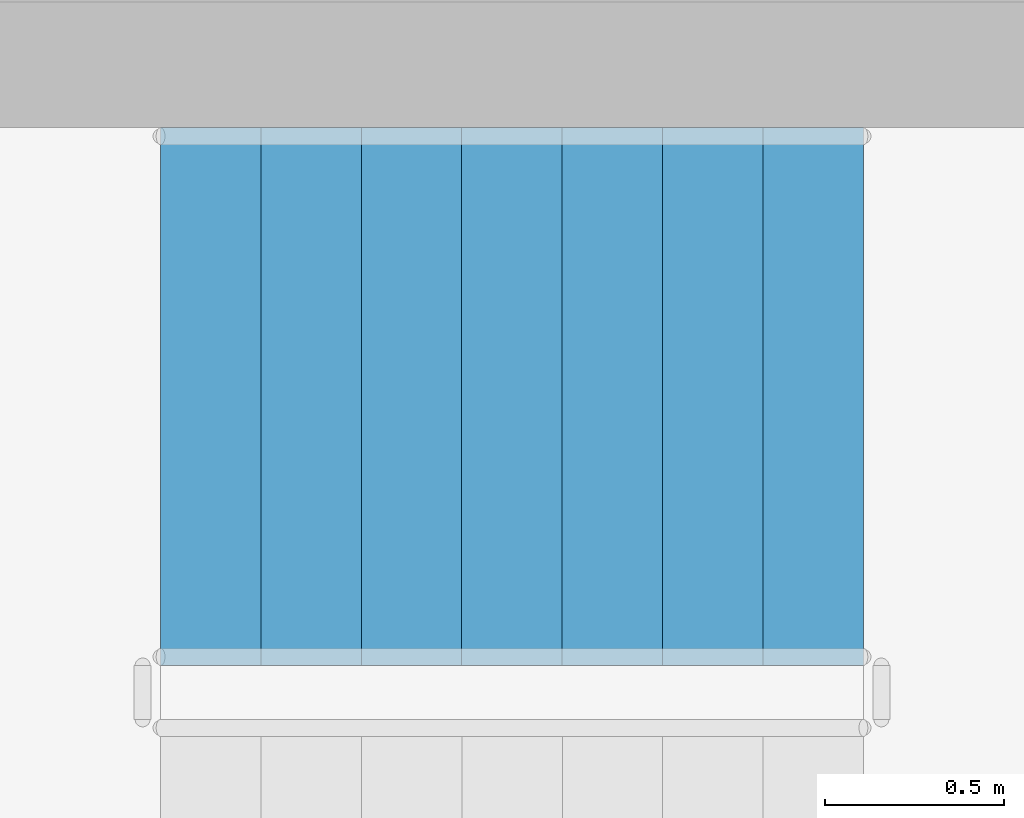
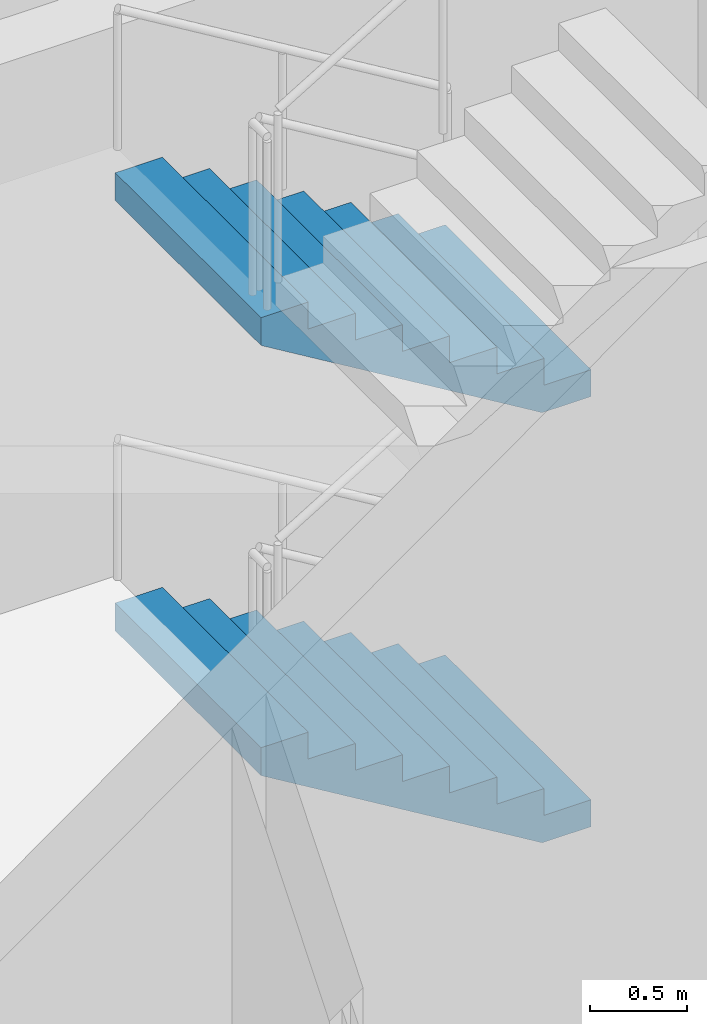
# One storey, part 60 of 101: 2 stair flights, 1 element without a shape of its own.
"""IFC4 building model written with IfcOpenShell, lengths in metres."""

from ifc_helpers import new_model, si_unit, direction, frame, origin, place, context, subcontext, project, spatial, triangles, material, type_object, element, aggregate, save


model = new_model("IFC4")

# Units and contexts
model_context = context("Model", 3, precision=1e-05, world=origin(), true_north=direction((0.0, 1.0)))
body_context = subcontext(model_context, "Body", "Model", "MODEL_VIEW")
ifc_project = project(units=[si_unit("LENGTHUNIT", "METRE"), si_unit("AREAUNIT", "SQUARE_METRE"), si_unit("VOLUMEUNIT", "CUBIC_METRE"), si_unit("PLANEANGLEUNIT", "RADIAN"), si_unit("MASSUNIT", "GRAM", prefix="KILO")], contexts=[model_context])

# Site, building, storey
site_placement = place(None, origin())
site = spatial("IfcSite", under=ifc_project, at=site_placement, CompositionType="ELEMENT")
building_placement = place(site_placement, origin())
building = spatial("IfcBuilding", under=site, at=building_placement, Name="Magnolia Steps Interchange", CompositionType="ELEMENT")
storey_placement = place(building_placement, frame((0.0, 0.0, -5.39990234375)))
storey = spatial("IfcBuildingStorey", under=building, at=storey_placement, Name="B1", CompositionType="ELEMENT", Elevation=-5.39990234375)

# Stair, stair flights
ifc_material_1 = material(Name="Concrete C40", Category="concrete")
stair_type = type_object("IfcStairType", Name="Exit stair 1500", PredefinedType="HALF_TURN_STAIR", material=ifc_material_1)
stair_placement = place(storey_placement, origin())
stair = element("IfcStair", 1, at=stair_placement, inside=storey, type_object=stair_type, Name="B1 Stair 2", PredefinedType="HALF_TURN_STAIR")
ifc_material_2 = material(Name="Concrete C40", Category="concrete")
stair_flight_type = type_object("IfcStairFlightType", Name="Exit stair flight", PredefinedType="STRAIGHT", material=ifc_material_2)
stair_flight_1_placement = place(storey_placement, frame((59.0, 84.35009765625, 0.0), z_axis=(0.0, 0.0, 1.0), x_axis=(-1.0, 0.0, 0.0)))
stair_flight_1 = element("IfcStairFlight", 2, at=stair_flight_1_placement, type_object=stair_flight_type, Name="Stair 2 flight 1", NumberOfRisers=8, NumberOfTreads=7, PredefinedType="STRAIGHT", RiserHeight=0.16875, TreadLength=0.28, context=body_context, shape_type="Tessellation", body=[
    triangles([(0.0, -0.75, 0.0), (0.29052734375, -0.75, 0.0), (1.9599609375, -0.75, 1.00634765625), (1.9599609375, -0.75, 1.18115234375), (1.679931640625, -0.75, 1.18115234375), (1.679931640625, -0.75, 1.012451171875), (1.39990234375, -0.75, 1.012451171875), (1.39990234375, -0.75, 0.84375), (1.1201171875, -0.75, 0.84375), (1.1201171875, -0.75, 0.675048828125), (0.840087890625, -0.75, 0.675048828125), (0.840087890625, -0.75, 0.50634765625), (0.56005859375, -0.75, 0.50634765625), (0.56005859375, -0.75, 0.33740234375), (0.280029296875, -0.75, 0.33740234375), (0.280029296875, -0.75, 0.168701171875), (0.0, -0.75, 0.168701171875), (0.0, 0.75, 0.0), (0.29052734375, 0.75, 0.0), (1.9599609375, 0.75, 1.00634765625), (1.9599609375, 0.75, 1.18115234375), (1.679931640625, 0.75, 1.18115234375), (1.679931640625, 0.75, 1.012451171875), (1.39990234375, 0.75, 1.012451171875), (1.39990234375, 0.75, 0.84375), (1.1201171875, 0.75, 0.84375), (1.1201171875, 0.75, 0.675048828125), (0.840087890625, 0.75, 0.675048828125), (0.840087890625, 0.75, 0.50634765625), (0.56005859375, 0.75, 0.50634765625), (0.56005859375, 0.75, 0.33740234375), (0.280029296875, 0.75, 0.33740234375), (0.280029296875, 0.75, 0.168701171875), (0.0, 0.75, 0.168701171875), (0.0, 0.0, 0.0), (0.0, 0.0, 0.04217529296875), (0.0, 0.0, 0.0843505859375), (0.0, 0.0, 0.12652587890625), (0.0, 0.0, 0.168701171875), (0.0, -0.05, 0.0), (0.0, -0.05, 0.168701171875), (0.0, 0.05, 0.0), (0.0, 0.05, 0.168701171875), (0.046671549479166664, 0.0, 0.168701171875), (0.09334309895833333, 0.0, 0.168701171875), (0.1400146484375, 0.0, 0.168701171875), (0.18668619791666666, 0.0, 0.168701171875), (0.23335774739583334, 0.0, 0.168701171875), (0.280029296875, 0.0, 0.168701171875), (0.280029296875, -0.05, 0.168701171875), (0.280029296875, 0.05, 0.168701171875), (0.280029296875, 0.0, 0.21087646484375), (0.280029296875, 0.0, 0.2530517578125), (0.280029296875, 0.0, 0.29522705078125), (0.280029296875, 0.0, 0.33740234375), (0.280029296875, -0.05, 0.33740234375), (0.280029296875, 0.05, 0.33740234375), (0.3267008463541667, 0.0, 0.33740234375), (0.3733723958333333, 0.0, 0.33740234375), (0.4200439453125, 0.0, 0.33740234375), (0.46671549479166663, 0.0, 0.33740234375), (0.5133870442708334, 0.0, 0.33740234375), (0.56005859375, 0.0, 0.33740234375), (0.56005859375, -0.05, 0.33740234375), (0.56005859375, 0.05, 0.33740234375), (0.56005859375, 0.0, 0.379638671875), (0.56005859375, 0.0, 0.421875), (0.56005859375, 0.0, 0.464111328125), (0.56005859375, 0.0, 0.50634765625), (0.56005859375, -0.05, 0.50634765625), (0.56005859375, 0.05, 0.50634765625), (0.6067301432291666, 0.0, 0.50634765625), (0.6534016927083334, 0.0, 0.50634765625), (0.7000732421875, 0.0, 0.50634765625), (0.7467447916666666, 0.0, 0.50634765625), (0.7934163411458334, 0.0, 0.50634765625), (0.840087890625, 0.0, 0.50634765625), (0.840087890625, -0.05, 0.50634765625), (0.840087890625, 0.05, 0.50634765625), (0.840087890625, 0.0, 0.54852294921875), (0.840087890625, 0.0, 0.5906982421875), (0.840087890625, 0.0, 0.63287353515625), (0.840087890625, 0.0, 0.675048828125), (0.840087890625, -0.05, 0.675048828125), (0.840087890625, 0.05, 0.675048828125), (0.8867594401041666, 0.0, 0.675048828125), (0.9334309895833334, 0.0, 0.675048828125), (0.9801025390625, 0.0, 0.675048828125), (1.0267740885416667, 0.0, 0.675048828125), (1.0734456380208333, 0.0, 0.675048828125), (1.1201171875, 0.0, 0.675048828125), (1.1201171875, -0.05, 0.675048828125), (1.1201171875, 0.05, 0.675048828125), (1.1201171875, 0.0, 0.71722412109375), (1.1201171875, 0.0, 0.7593994140625), (1.1201171875, 0.0, 0.80157470703125), (1.1201171875, 0.0, 0.84375), (1.1201171875, -0.05, 0.84375), (1.1201171875, 0.05, 0.84375), (1.1900634765625, 0.0, 0.84375), (1.260009765625, 0.0, 0.84375), (1.3299560546875, 0.0, 0.84375), (1.39990234375, 0.0, 0.84375), (1.39990234375, -0.05, 0.84375), (1.39990234375, 0.05, 0.84375), (1.39990234375, 0.0, 0.88592529296875), (1.39990234375, 0.0, 0.9281005859375), (1.39990234375, 0.0, 0.97027587890625), (1.39990234375, 0.0, 1.012451171875), (1.39990234375, -0.05, 1.012451171875), (1.39990234375, 0.05, 1.012451171875), (1.4465738932291667, 0.0, 1.012451171875), (1.4932454427083333, 0.0, 1.012451171875), (1.5399169921875, 0.0, 1.012451171875), (1.5865885416666667, 0.0, 1.012451171875), (1.6332600911458333, 0.0, 1.012451171875), (1.679931640625, 0.0, 1.012451171875), (1.679931640625, -0.05, 1.012451171875), (1.679931640625, 0.05, 1.012451171875), (1.679931640625, 0.0, 1.05462646484375), (1.679931640625, 0.0, 1.0968017578125), (1.679931640625, 0.0, 1.13897705078125), (1.679931640625, 0.0, 1.18115234375), (1.679931640625, -0.05, 1.18115234375), (1.679931640625, 0.05, 1.18115234375), (1.7266031901041667, 0.0, 1.18115234375), (1.7732747395833333, 0.0, 1.18115234375), (1.8199462890625, 0.0, 1.18115234375), (1.8666178385416667, 0.0, 1.18115234375), (1.9132893880208333, 0.0, 1.18115234375), (1.9599609375, 0.0, 1.18115234375), (1.9599609375, -0.05, 1.18115234375), (1.9599609375, 0.05, 1.18115234375), (1.9599609375, 0.0, 1.137451171875), (1.9599609375, 0.0, 1.09375), (1.9599609375, 0.0, 1.050048828125), (1.9599609375, 0.0, 1.00634765625), (1.9599609375, -0.05, 1.00634765625), (1.9599609375, 0.05, 1.00634765625), (1.9003383091517858, 0.0, 0.9704066685267857), (1.8407156808035714, 0.0, 0.9344656808035714), (1.7810930524553572, 0.0, 0.8985246930803571), (1.7214704241071428, 0.0, 0.8625837053571428), (1.6618477957589286, 0.0, 0.8266427176339286), (1.6022251674107144, 0.0, 0.7907017299107143), (1.5426025390625, 0.0, 0.7547607421875), (1.4829799107142856, 0.0, 0.7188197544642857), (1.4233572823660714, 0.0, 0.6828787667410714), (1.3637346540178572, 0.0, 0.6469377790178572), (1.3041120256696428, 0.0, 0.6109967912946428), (1.2444893973214286, 0.0, 0.5750558035714286), (1.1848667689732144, 0.0, 0.5391148158482143), (1.125244140625, 0.0, 0.503173828125), (1.0656215122767856, 0.0, 0.4672328404017857), (1.0059988839285714, 0.0, 0.4312918526785714), (0.9463762555803572, 0.0, 0.3953508649553571), (0.8867536272321428, 0.0, 0.3594098772321429), (0.8271309988839286, 0.0, 0.3234688895089286), (0.7675083705357142, 0.0, 0.2875279017857143), (0.7078857421875, 0.0, 0.2515869140625), (0.6482631138392858, 0.0, 0.2156459263392857), (0.5886404854910714, 0.0, 0.1797049386160714), (0.5290178571428572, 0.0, 0.1437639508928571), (0.4693952287946428, 0.0, 0.1078229631696429), (0.4097726004464286, 0.0, 0.0718819754464286), (0.3501499720982142, 0.0, 0.0359409877232143), (0.29052734375, 0.0, 0.0), (0.29052734375, -0.05, 0.0), (0.29052734375, 0.05, 0.0), (0.24210611979166666, 0.0, 0.0), (0.19368489583333331, 0.0, 0.0), (0.145263671875, 0.0, 0.0), (0.09684244791666666, 0.0, 0.0), (0.04842122395833334, 0.0, 0.0)], [[1, 2, 3], [3, 4, 5], [3, 5, 6], [3, 6, 7], [3, 7, 8], [8, 9, 10], [3, 8, 10], [10, 11, 12], [3, 10, 12], [12, 13, 14], [3, 12, 14], [14, 15, 16], [3, 14, 16], [1, 3, 16], [16, 17, 1], [18, 20, 19], [20, 22, 21], [20, 23, 22], [20, 24, 23], [20, 25, 24], [25, 27, 26], [20, 27, 25], [27, 29, 28], [20, 29, 27], [29, 31, 30], [20, 31, 29], [31, 33, 32], [20, 33, 31], [18, 33, 20], [33, 18, 34], [1, 17, 41], [1, 41, 40], [40, 36, 35], [40, 37, 36], [40, 41, 37], [41, 38, 37], [41, 39, 38], [18, 43, 34], [18, 42, 43], [42, 35, 36], [42, 36, 37], [42, 37, 43], [43, 37, 38], [43, 38, 39], [17, 16, 50], [17, 50, 41], [41, 44, 39], [41, 45, 44], [41, 46, 45], [41, 50, 46], [50, 47, 46], [50, 48, 47], [50, 49, 48], [34, 51, 33], [34, 43, 51], [43, 39, 44], [43, 44, 45], [43, 45, 46], [43, 46, 51], [51, 46, 47], [51, 47, 48], [51, 48, 49], [16, 15, 56], [16, 56, 50], [50, 52, 49], [50, 53, 52], [50, 56, 53], [56, 54, 53], [56, 55, 54], [33, 57, 32], [33, 51, 57], [51, 49, 52], [51, 52, 53], [51, 53, 57], [57, 53, 54], [57, 54, 55], [15, 14, 64], [15, 64, 56], [56, 58, 55], [56, 59, 58], [56, 60, 59], [56, 64, 60], [64, 61, 60], [64, 62, 61], [64, 63, 62], [32, 65, 31], [32, 57, 65], [57, 55, 58], [57, 58, 59], [57, 59, 60], [57, 60, 65], [65, 60, 61], [65, 61, 62], [65, 62, 63], [14, 13, 70], [14, 70, 64], [64, 66, 63], [64, 67, 66], [64, 70, 67], [70, 68, 67], [70, 69, 68], [31, 71, 30], [31, 65, 71], [65, 63, 66], [65, 66, 67], [65, 67, 71], [71, 67, 68], [71, 68, 69], [13, 12, 78], [13, 78, 70], [70, 72, 69], [70, 73, 72], [70, 74, 73], [70, 78, 74], [78, 75, 74], [78, 76, 75], [78, 77, 76], [30, 79, 29], [30, 71, 79], [71, 69, 72], [71, 72, 73], [71, 73, 74], [71, 74, 79], [79, 74, 75], [79, 75, 76], [79, 76, 77], [12, 11, 84], [12, 84, 78], [78, 80, 77], [78, 81, 80], [78, 84, 81], [84, 82, 81], [84, 83, 82], [29, 85, 28], [29, 79, 85], [79, 77, 80], [79, 80, 81], [79, 81, 85], [85, 81, 82], [85, 82, 83], [11, 10, 92], [11, 92, 84], [84, 86, 83], [84, 87, 86], [84, 88, 87], [84, 92, 88], [92, 89, 88], [92, 90, 89], [92, 91, 90], [28, 93, 27], [28, 85, 93], [85, 83, 86], [85, 86, 87], [85, 87, 88], [85, 88, 93], [93, 88, 89], [93, 89, 90], [93, 90, 91], [10, 9, 98], [10, 98, 92], [92, 94, 91], [92, 95, 94], [92, 98, 95], [98, 96, 95], [98, 97, 96], [27, 99, 26], [27, 93, 99], [93, 91, 94], [93, 94, 95], [93, 95, 99], [99, 95, 96], [99, 96, 97], [9, 8, 104], [9, 104, 98], [98, 100, 97], [98, 101, 100], [98, 104, 101], [104, 102, 101], [104, 103, 102], [26, 105, 25], [26, 99, 105], [99, 97, 100], [99, 100, 101], [99, 101, 105], [105, 101, 102], [105, 102, 103], [8, 7, 110], [8, 110, 104], [104, 106, 103], [104, 107, 106], [104, 110, 107], [110, 108, 107], [110, 109, 108], [25, 111, 24], [25, 105, 111], [105, 103, 106], [105, 106, 107], [105, 107, 111], [111, 107, 108], [111, 108, 109], [7, 6, 118], [7, 118, 110], [110, 112, 109], [110, 113, 112], [110, 114, 113], [110, 118, 114], [118, 115, 114], [118, 116, 115], [118, 117, 116], [24, 119, 23], [24, 111, 119], [111, 109, 112], [111, 112, 113], [111, 113, 114], [111, 114, 119], [119, 114, 115], [119, 115, 116], [119, 116, 117], [6, 5, 124], [6, 124, 118], [118, 120, 117], [118, 121, 120], [118, 124, 121], [124, 122, 121], [124, 123, 122], [23, 125, 22], [23, 119, 125], [119, 117, 120], [119, 120, 121], [119, 121, 125], [125, 121, 122], [125, 122, 123], [5, 4, 132], [5, 132, 124], [124, 126, 123], [124, 127, 126], [124, 128, 127], [124, 132, 128], [132, 129, 128], [132, 130, 129], [132, 131, 130], [22, 133, 21], [22, 125, 133], [125, 123, 126], [125, 126, 127], [125, 127, 128], [125, 128, 133], [133, 128, 129], [133, 129, 130], [133, 130, 131], [4, 3, 138], [4, 138, 132], [132, 134, 131], [132, 135, 134], [132, 138, 135], [138, 136, 135], [138, 137, 136], [21, 139, 20], [21, 133, 139], [133, 131, 134], [133, 134, 135], [133, 135, 139], [139, 135, 136], [139, 136, 137], [3, 2, 168], [3, 168, 138], [138, 140, 137], [138, 141, 140], [138, 142, 141], [138, 143, 142], [138, 144, 143], [138, 145, 144], [138, 146, 145], [138, 147, 146], [138, 148, 147], [138, 149, 148], [138, 150, 149], [138, 151, 150], [138, 152, 151], [138, 153, 152], [138, 168, 153], [168, 154, 153], [168, 155, 154], [168, 156, 155], [168, 157, 156], [168, 158, 157], [168, 159, 158], [168, 160, 159], [168, 161, 160], [168, 162, 161], [168, 163, 162], [168, 164, 163], [168, 165, 164], [168, 166, 165], [168, 167, 166], [20, 169, 19], [20, 139, 169], [139, 137, 140], [139, 140, 141], [139, 141, 142], [139, 142, 143], [139, 143, 144], [139, 144, 145], [139, 145, 146], [139, 146, 147], [139, 147, 148], [139, 148, 149], [139, 149, 150], [139, 150, 151], [139, 151, 152], [139, 152, 153], [139, 153, 169], [169, 153, 154], [169, 154, 155], [169, 155, 156], [169, 156, 157], [169, 157, 158], [169, 158, 159], [169, 159, 160], [169, 160, 161], [169, 161, 162], [169, 162, 163], [169, 163, 164], [169, 164, 165], [169, 165, 166], [169, 166, 167], [2, 1, 40], [2, 40, 168], [168, 170, 167], [168, 171, 170], [168, 172, 171], [168, 40, 172], [40, 173, 172], [40, 174, 173], [40, 35, 174], [19, 42, 18], [19, 169, 42], [169, 167, 170], [169, 170, 171], [169, 171, 172], [169, 172, 42], [42, 172, 173], [42, 173, 174], [42, 174, 35]], closed=True),
])
stair_flight_2_placement = place(storey_placement, frame((59.0, 84.35009765625, 2.699951171875), z_axis=(0.0, 0.0, 1.0), x_axis=(-1.0, 0.0, 0.0)))
stair_flight_2 = element("IfcStairFlight", 3, at=stair_flight_2_placement, type_object=stair_flight_type, Name="Stair 2 flight 3", NumberOfRisers=8, NumberOfTreads=7, PredefinedType="STRAIGHT", RiserHeight=0.16875, TreadLength=0.28, context=body_context, shape_type="Tessellation", body=[
    triangles([(0.0, -0.75, 0.0), (0.29052734375, -0.75, 0.0), (1.9599609375, -0.75, 1.00634765625), (1.9599609375, -0.75, 1.18115234375), (1.679931640625, -0.75, 1.18115234375), (1.679931640625, -0.75, 1.012451171875), (1.39990234375, -0.75, 1.012451171875), (1.39990234375, -0.75, 0.84375), (1.1201171875, -0.75, 0.84375), (1.1201171875, -0.75, 0.675048828125), (0.840087890625, -0.75, 0.675048828125), (0.840087890625, -0.75, 0.50634765625), (0.56005859375, -0.75, 0.50634765625), (0.56005859375, -0.75, 0.33740234375), (0.280029296875, -0.75, 0.33740234375), (0.280029296875, -0.75, 0.168701171875), (0.0, -0.75, 0.168701171875), (0.0, 0.75, 0.0), (0.29052734375, 0.75, 0.0), (1.9599609375, 0.75, 1.00634765625), (1.9599609375, 0.75, 1.18115234375), (1.679931640625, 0.75, 1.18115234375), (1.679931640625, 0.75, 1.012451171875), (1.39990234375, 0.75, 1.012451171875), (1.39990234375, 0.75, 0.84375), (1.1201171875, 0.75, 0.84375), (1.1201171875, 0.75, 0.675048828125), (0.840087890625, 0.75, 0.675048828125), (0.840087890625, 0.75, 0.50634765625), (0.56005859375, 0.75, 0.50634765625), (0.56005859375, 0.75, 0.33740234375), (0.280029296875, 0.75, 0.33740234375), (0.280029296875, 0.75, 0.168701171875), (0.0, 0.75, 0.168701171875), (0.0, 0.0, 0.0), (0.0, 0.0, 0.04217529296875), (0.0, 0.0, 0.0843505859375), (0.0, 0.0, 0.12652587890625), (0.0, 0.0, 0.168701171875), (0.0, -0.05, 0.0), (0.0, -0.05, 0.168701171875), (0.0, 0.05, 0.0), (0.0, 0.05, 0.168701171875), (0.046671549479166664, 0.0, 0.168701171875), (0.09334309895833333, 0.0, 0.168701171875), (0.1400146484375, 0.0, 0.168701171875), (0.18668619791666666, 0.0, 0.168701171875), (0.23335774739583334, 0.0, 0.168701171875), (0.280029296875, 0.0, 0.168701171875), (0.280029296875, -0.05, 0.168701171875), (0.280029296875, 0.05, 0.168701171875), (0.280029296875, 0.0, 0.21087646484375), (0.280029296875, 0.0, 0.2530517578125), (0.280029296875, 0.0, 0.29522705078125), (0.280029296875, 0.0, 0.33740234375), (0.280029296875, -0.05, 0.33740234375), (0.280029296875, 0.05, 0.33740234375), (0.3267008463541667, 0.0, 0.33740234375), (0.3733723958333333, 0.0, 0.33740234375), (0.4200439453125, 0.0, 0.33740234375), (0.46671549479166663, 0.0, 0.33740234375), (0.5133870442708334, 0.0, 0.33740234375), (0.56005859375, 0.0, 0.33740234375), (0.56005859375, -0.05, 0.33740234375), (0.56005859375, 0.05, 0.33740234375), (0.56005859375, 0.0, 0.379638671875), (0.56005859375, 0.0, 0.421875), (0.56005859375, 0.0, 0.464111328125), (0.56005859375, 0.0, 0.50634765625), (0.56005859375, -0.05, 0.50634765625), (0.56005859375, 0.05, 0.50634765625), (0.6067301432291666, 0.0, 0.50634765625), (0.6534016927083334, 0.0, 0.50634765625), (0.7000732421875, 0.0, 0.50634765625), (0.7467447916666666, 0.0, 0.50634765625), (0.7934163411458334, 0.0, 0.50634765625), (0.840087890625, 0.0, 0.50634765625), (0.840087890625, -0.05, 0.50634765625), (0.840087890625, 0.05, 0.50634765625), (0.840087890625, 0.0, 0.54852294921875), (0.840087890625, 0.0, 0.5906982421875), (0.840087890625, 0.0, 0.63287353515625), (0.840087890625, 0.0, 0.675048828125), (0.840087890625, -0.05, 0.675048828125), (0.840087890625, 0.05, 0.675048828125), (0.8867594401041666, 0.0, 0.675048828125), (0.9334309895833334, 0.0, 0.675048828125), (0.9801025390625, 0.0, 0.675048828125), (1.0267740885416667, 0.0, 0.675048828125), (1.0734456380208333, 0.0, 0.675048828125), (1.1201171875, 0.0, 0.675048828125), (1.1201171875, -0.05, 0.675048828125), (1.1201171875, 0.05, 0.675048828125), (1.1201171875, 0.0, 0.71722412109375), (1.1201171875, 0.0, 0.7593994140625), (1.1201171875, 0.0, 0.80157470703125), (1.1201171875, 0.0, 0.84375), (1.1201171875, -0.05, 0.84375), (1.1201171875, 0.05, 0.84375), (1.1900634765625, 0.0, 0.84375), (1.260009765625, 0.0, 0.84375), (1.3299560546875, 0.0, 0.84375), (1.39990234375, 0.0, 0.84375), (1.39990234375, -0.05, 0.84375), (1.39990234375, 0.05, 0.84375), (1.39990234375, 0.0, 0.88592529296875), (1.39990234375, 0.0, 0.9281005859375), (1.39990234375, 0.0, 0.97027587890625), (1.39990234375, 0.0, 1.012451171875), (1.39990234375, -0.05, 1.012451171875), (1.39990234375, 0.05, 1.012451171875), (1.4465738932291667, 0.0, 1.012451171875), (1.4932454427083333, 0.0, 1.012451171875), (1.5399169921875, 0.0, 1.012451171875), (1.5865885416666667, 0.0, 1.012451171875), (1.6332600911458333, 0.0, 1.012451171875), (1.679931640625, 0.0, 1.012451171875), (1.679931640625, -0.05, 1.012451171875), (1.679931640625, 0.05, 1.012451171875), (1.679931640625, 0.0, 1.05462646484375), (1.679931640625, 0.0, 1.0968017578125), (1.679931640625, 0.0, 1.13897705078125), (1.679931640625, 0.0, 1.18115234375), (1.679931640625, -0.05, 1.18115234375), (1.679931640625, 0.05, 1.18115234375), (1.7266031901041667, 0.0, 1.18115234375), (1.7732747395833333, 0.0, 1.18115234375), (1.8199462890625, 0.0, 1.18115234375), (1.8666178385416667, 0.0, 1.18115234375), (1.9132893880208333, 0.0, 1.18115234375), (1.9599609375, 0.0, 1.18115234375), (1.9599609375, -0.05, 1.18115234375), (1.9599609375, 0.05, 1.18115234375), (1.9599609375, 0.0, 1.137451171875), (1.9599609375, 0.0, 1.09375), (1.9599609375, 0.0, 1.050048828125), (1.9599609375, 0.0, 1.00634765625), (1.9599609375, -0.05, 1.00634765625), (1.9599609375, 0.05, 1.00634765625), (1.9003383091517858, 0.0, 0.9704066685267857), (1.8407156808035714, 0.0, 0.9344656808035714), (1.7810930524553572, 0.0, 0.8985246930803571), (1.7214704241071428, 0.0, 0.8625837053571428), (1.6618477957589286, 0.0, 0.8266427176339286), (1.6022251674107144, 0.0, 0.7907017299107143), (1.5426025390625, 0.0, 0.7547607421875), (1.4829799107142856, 0.0, 0.7188197544642857), (1.4233572823660714, 0.0, 0.6828787667410714), (1.3637346540178572, 0.0, 0.6469377790178572), (1.3041120256696428, 0.0, 0.6109967912946428), (1.2444893973214286, 0.0, 0.5750558035714286), (1.1848667689732144, 0.0, 0.5391148158482143), (1.125244140625, 0.0, 0.503173828125), (1.0656215122767856, 0.0, 0.4672328404017857), (1.0059988839285714, 0.0, 0.4312918526785714), (0.9463762555803572, 0.0, 0.3953508649553571), (0.8867536272321428, 0.0, 0.3594098772321429), (0.8271309988839286, 0.0, 0.3234688895089286), (0.7675083705357142, 0.0, 0.2875279017857143), (0.7078857421875, 0.0, 0.2515869140625), (0.6482631138392858, 0.0, 0.2156459263392857), (0.5886404854910714, 0.0, 0.1797049386160714), (0.5290178571428572, 0.0, 0.1437639508928571), (0.4693952287946428, 0.0, 0.1078229631696429), (0.4097726004464286, 0.0, 0.0718819754464286), (0.3501499720982142, 0.0, 0.0359409877232143), (0.29052734375, 0.0, 0.0), (0.29052734375, -0.05, 0.0), (0.29052734375, 0.05, 0.0), (0.24210611979166666, 0.0, 0.0), (0.19368489583333331, 0.0, 0.0), (0.145263671875, 0.0, 0.0), (0.09684244791666666, 0.0, 0.0), (0.04842122395833334, 0.0, 0.0)], [[1, 2, 3], [3, 4, 5], [3, 5, 6], [3, 6, 7], [3, 7, 8], [8, 9, 10], [3, 8, 10], [10, 11, 12], [3, 10, 12], [12, 13, 14], [3, 12, 14], [14, 15, 16], [3, 14, 16], [1, 3, 16], [16, 17, 1], [18, 20, 19], [20, 22, 21], [20, 23, 22], [20, 24, 23], [20, 25, 24], [25, 27, 26], [20, 27, 25], [27, 29, 28], [20, 29, 27], [29, 31, 30], [20, 31, 29], [31, 33, 32], [20, 33, 31], [18, 33, 20], [33, 18, 34], [1, 17, 41], [1, 41, 40], [40, 36, 35], [40, 37, 36], [40, 41, 37], [41, 38, 37], [41, 39, 38], [18, 43, 34], [18, 42, 43], [42, 35, 36], [42, 36, 37], [42, 37, 43], [43, 37, 38], [43, 38, 39], [17, 16, 50], [17, 50, 41], [41, 44, 39], [41, 45, 44], [41, 46, 45], [41, 50, 46], [50, 47, 46], [50, 48, 47], [50, 49, 48], [34, 51, 33], [34, 43, 51], [43, 39, 44], [43, 44, 45], [43, 45, 46], [43, 46, 51], [51, 46, 47], [51, 47, 48], [51, 48, 49], [16, 15, 56], [16, 56, 50], [50, 52, 49], [50, 53, 52], [50, 56, 53], [56, 54, 53], [56, 55, 54], [33, 57, 32], [33, 51, 57], [51, 49, 52], [51, 52, 53], [51, 53, 57], [57, 53, 54], [57, 54, 55], [15, 14, 64], [15, 64, 56], [56, 58, 55], [56, 59, 58], [56, 60, 59], [56, 64, 60], [64, 61, 60], [64, 62, 61], [64, 63, 62], [32, 65, 31], [32, 57, 65], [57, 55, 58], [57, 58, 59], [57, 59, 60], [57, 60, 65], [65, 60, 61], [65, 61, 62], [65, 62, 63], [14, 13, 70], [14, 70, 64], [64, 66, 63], [64, 67, 66], [64, 70, 67], [70, 68, 67], [70, 69, 68], [31, 71, 30], [31, 65, 71], [65, 63, 66], [65, 66, 67], [65, 67, 71], [71, 67, 68], [71, 68, 69], [13, 12, 78], [13, 78, 70], [70, 72, 69], [70, 73, 72], [70, 74, 73], [70, 78, 74], [78, 75, 74], [78, 76, 75], [78, 77, 76], [30, 79, 29], [30, 71, 79], [71, 69, 72], [71, 72, 73], [71, 73, 74], [71, 74, 79], [79, 74, 75], [79, 75, 76], [79, 76, 77], [12, 11, 84], [12, 84, 78], [78, 80, 77], [78, 81, 80], [78, 84, 81], [84, 82, 81], [84, 83, 82], [29, 85, 28], [29, 79, 85], [79, 77, 80], [79, 80, 81], [79, 81, 85], [85, 81, 82], [85, 82, 83], [11, 10, 92], [11, 92, 84], [84, 86, 83], [84, 87, 86], [84, 88, 87], [84, 92, 88], [92, 89, 88], [92, 90, 89], [92, 91, 90], [28, 93, 27], [28, 85, 93], [85, 83, 86], [85, 86, 87], [85, 87, 88], [85, 88, 93], [93, 88, 89], [93, 89, 90], [93, 90, 91], [10, 9, 98], [10, 98, 92], [92, 94, 91], [92, 95, 94], [92, 98, 95], [98, 96, 95], [98, 97, 96], [27, 99, 26], [27, 93, 99], [93, 91, 94], [93, 94, 95], [93, 95, 99], [99, 95, 96], [99, 96, 97], [9, 8, 104], [9, 104, 98], [98, 100, 97], [98, 101, 100], [98, 104, 101], [104, 102, 101], [104, 103, 102], [26, 105, 25], [26, 99, 105], [99, 97, 100], [99, 100, 101], [99, 101, 105], [105, 101, 102], [105, 102, 103], [8, 7, 110], [8, 110, 104], [104, 106, 103], [104, 107, 106], [104, 110, 107], [110, 108, 107], [110, 109, 108], [25, 111, 24], [25, 105, 111], [105, 103, 106], [105, 106, 107], [105, 107, 111], [111, 107, 108], [111, 108, 109], [7, 6, 118], [7, 118, 110], [110, 112, 109], [110, 113, 112], [110, 114, 113], [110, 118, 114], [118, 115, 114], [118, 116, 115], [118, 117, 116], [24, 119, 23], [24, 111, 119], [111, 109, 112], [111, 112, 113], [111, 113, 114], [111, 114, 119], [119, 114, 115], [119, 115, 116], [119, 116, 117], [6, 5, 124], [6, 124, 118], [118, 120, 117], [118, 121, 120], [118, 124, 121], [124, 122, 121], [124, 123, 122], [23, 125, 22], [23, 119, 125], [119, 117, 120], [119, 120, 121], [119, 121, 125], [125, 121, 122], [125, 122, 123], [5, 4, 132], [5, 132, 124], [124, 126, 123], [124, 127, 126], [124, 128, 127], [124, 132, 128], [132, 129, 128], [132, 130, 129], [132, 131, 130], [22, 133, 21], [22, 125, 133], [125, 123, 126], [125, 126, 127], [125, 127, 128], [125, 128, 133], [133, 128, 129], [133, 129, 130], [133, 130, 131], [4, 3, 138], [4, 138, 132], [132, 134, 131], [132, 135, 134], [132, 138, 135], [138, 136, 135], [138, 137, 136], [21, 139, 20], [21, 133, 139], [133, 131, 134], [133, 134, 135], [133, 135, 139], [139, 135, 136], [139, 136, 137], [3, 2, 168], [3, 168, 138], [138, 140, 137], [138, 141, 140], [138, 142, 141], [138, 143, 142], [138, 144, 143], [138, 145, 144], [138, 146, 145], [138, 147, 146], [138, 148, 147], [138, 149, 148], [138, 150, 149], [138, 151, 150], [138, 152, 151], [138, 153, 152], [138, 168, 153], [168, 154, 153], [168, 155, 154], [168, 156, 155], [168, 157, 156], [168, 158, 157], [168, 159, 158], [168, 160, 159], [168, 161, 160], [168, 162, 161], [168, 163, 162], [168, 164, 163], [168, 165, 164], [168, 166, 165], [168, 167, 166], [20, 169, 19], [20, 139, 169], [139, 137, 140], [139, 140, 141], [139, 141, 142], [139, 142, 143], [139, 143, 144], [139, 144, 145], [139, 145, 146], [139, 146, 147], [139, 147, 148], [139, 148, 149], [139, 149, 150], [139, 150, 151], [139, 151, 152], [139, 152, 153], [139, 153, 169], [169, 153, 154], [169, 154, 155], [169, 155, 156], [169, 156, 157], [169, 157, 158], [169, 158, 159], [169, 159, 160], [169, 160, 161], [169, 161, 162], [169, 162, 163], [169, 163, 164], [169, 164, 165], [169, 165, 166], [169, 166, 167], [2, 1, 40], [2, 40, 168], [168, 170, 167], [168, 171, 170], [168, 172, 171], [168, 40, 172], [40, 173, 172], [40, 174, 173], [40, 35, 174], [19, 42, 18], [19, 169, 42], [169, 167, 170], [169, 170, 171], [169, 171, 172], [169, 172, 42], [42, 172, 173], [42, 173, 174], [42, 174, 35]], closed=True),
])
aggregate(stair, [stair_flight_1, stair_flight_2])

save(model, "model.ifc")
